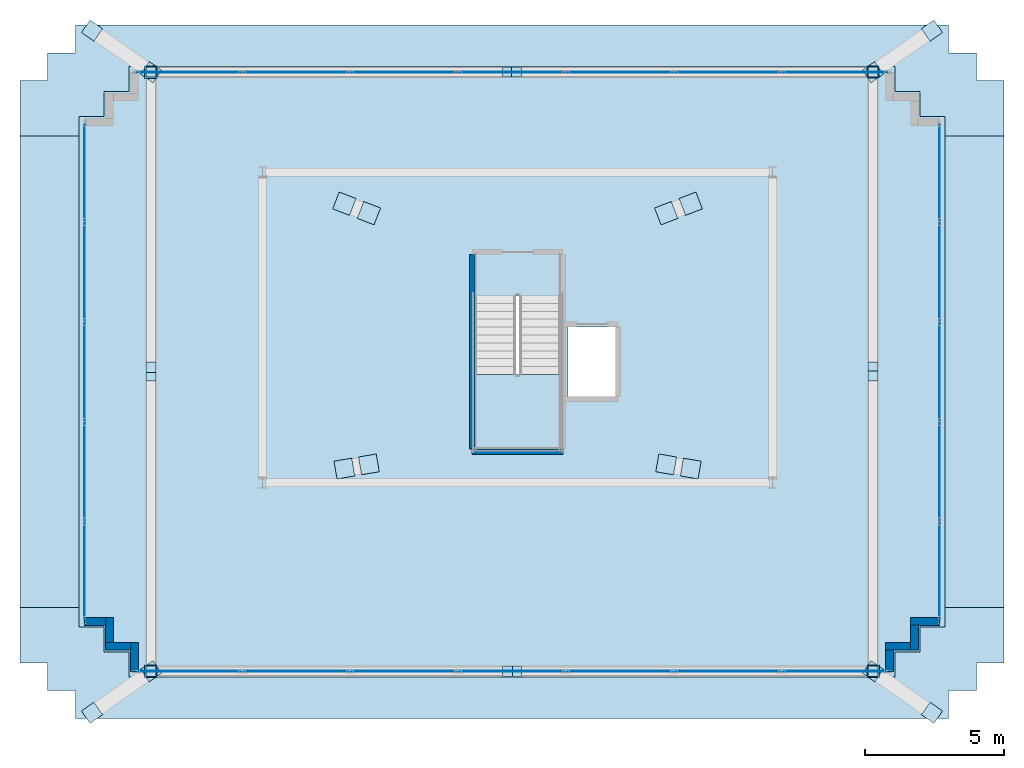
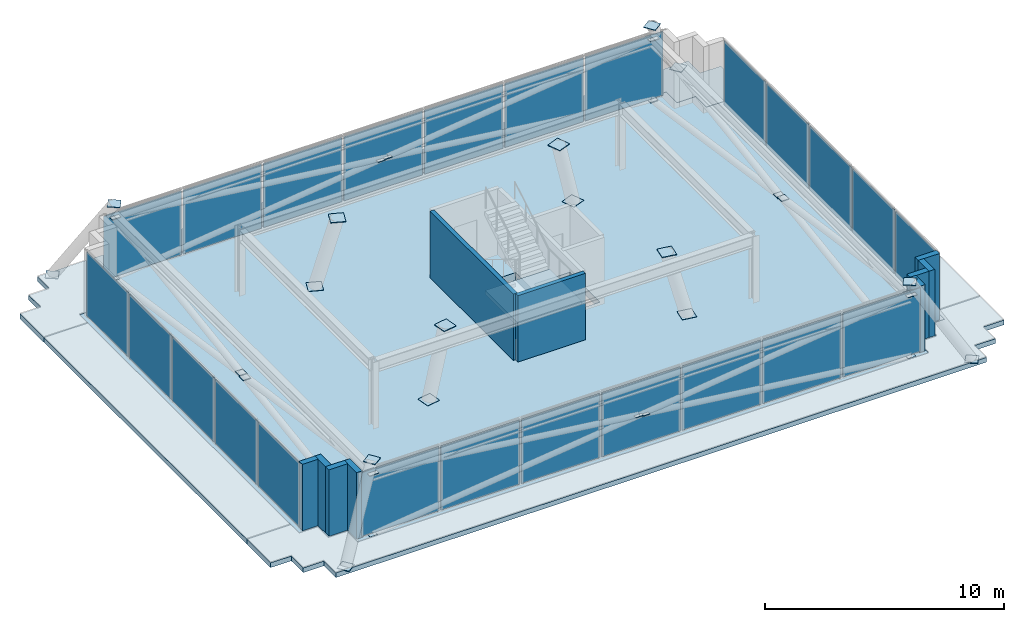
# One storey, part 11 of 15: 56 plates, 10 walls, 6 slabs, 5 elements without a shape of their own.
"""IFC4 building model written with IfcOpenShell, lengths in metres."""

from ifc_helpers import new_model, si_unit, direction, frame, frame_2d, origin, origin_2d, place, context, subcontext, project, spatial, polyline, rectangle, outline, extrude, material, layer, layer_set, type_object, element, aggregate, save


model = new_model("IFC4")

# Units and contexts
model_context = context("Model", 3, precision=1e-05, world=origin(), true_north=direction((0.0, 1.0)))
body_context = subcontext(model_context, "Body", "Model", "MODEL_VIEW")
ifc_project = project(units=[si_unit("LENGTHUNIT", "METRE"), si_unit("AREAUNIT", "SQUARE_METRE"), si_unit("VOLUMEUNIT", "CUBIC_METRE"), si_unit("PLANEANGLEUNIT", "RADIAN"), si_unit("MASSUNIT", "GRAM", prefix="KILO")], contexts=[model_context])

# Site, building, storey
site_placement = place(None, origin())
site = spatial("IfcSite", under=ifc_project, at=site_placement, CompositionType="ELEMENT")
building_placement = place(site_placement, origin())
building = spatial("IfcBuilding", under=site, at=building_placement, Name="Qobustan Lattice House", CompositionType="ELEMENT")
storey_placement = place(building_placement, frame((0.0, 0.0, 281.60009765625)))
storey = spatial("IfcBuildingStorey", under=building, at=storey_placement, Name="L79", CompositionType="ELEMENT", Elevation=281.60009765625)

# Curtain wall, plates
ifc_material_1 = material(Name="Anodised aluminium and low-E glazing", Category="aluminium")
ifc_layer_1 = layer(ifc_material_1, 0.219970703125)
ifc_layer_set_1 = layer_set([ifc_layer_1], Name="Anodised aluminium and low-E glazing")
curtain_wall_type = type_object("IfcCurtainWallType", Name="CW-CRN-01", PredefinedType="USERDEFINED", material=ifc_layer_set_1)
curtain_wall_1_placement = place(storey_placement, origin())
curtain_wall_1 = element("IfcCurtainWall", 1, at=curtain_wall_1_placement, inside=storey, type_object=curtain_wall_type, Name="L79 glass-point crown faceted curtain wall 5", ObjectType="CURTAIN WALL", PredefinedType="USERDEFINED")
ifc_material_2 = material(Name="Warm frit stone-toned laminated glass", Category="masonry")
ifc_layer_2 = layer(ifc_material_2, 0.035888671875)
ifc_layer_set_2 = layer_set([ifc_layer_2], Name="Warm frit stone-toned laminated glass")
plate_type_1 = type_object("IfcPlateType", Name="CWP-CROWN-36", PredefinedType="CURTAIN_PANEL", material=ifc_layer_set_2)
plate_1_placement = place(storey_placement, frame((-15.6201171875, -8.781494140625, 0.06494140625), z_axis=(0.0, 0.0, 1.0), x_axis=(0.0, 1.0, 0.0)))
plate_1 = element("IfcPlate", 2, at=plate_1_placement, type_object=plate_type_1, Name="CW-CR panel 1.1", PredefinedType="CURTAIN_PANEL", context=body_context, shape_type="SweptSolid", body=[
    extrude(rectangle(XDim=3.467041015625, YDim=0.031982421875, at=origin_2d()), origin(), (0.0, 0.0, 1.0), 3.27001953125),
])
plate_2_placement = place(storey_placement, frame((-15.6201171875, -5.201904296875, 0.06494140625), z_axis=(0.0, 0.0, 1.0), x_axis=(0.0, 1.0, 0.0)))
plate_2 = element("IfcPlate", 3, at=plate_2_placement, type_object=plate_type_1, Name="CW-CR panel 2.1", PredefinedType="CURTAIN_PANEL", context=body_context, shape_type="SweptSolid", body=[
    extrude(rectangle(XDim=3.511962890625, YDim=0.031982421875, at=origin_2d()), origin(), (0.0, 0.0, 1.0), 3.27001953125),
])
plate_3_placement = place(storey_placement, frame((-15.6201171875, -1.60009765625, 0.06494140625), z_axis=(0.0, 0.0, 1.0), x_axis=(0.0, 1.0, 0.0)))
plate_3 = element("IfcPlate", 4, at=plate_3_placement, type_object=plate_type_1, Name="CW-CR panel 3.1", PredefinedType="CURTAIN_PANEL", context=body_context, shape_type="SweptSolid", body=[
    extrude(rectangle(XDim=3.511962890625, YDim=0.031982421875, at=origin_2d()), origin(), (0.0, 0.0, 1.0), 3.27001953125),
])
plate_4_placement = place(storey_placement, frame((-15.6201171875, 2.001953125, 0.06494140625), z_axis=(0.0, 0.0, 1.0), x_axis=(0.0, 1.0, 0.0)))
plate_4 = element("IfcPlate", 5, at=plate_4_placement, type_object=plate_type_1, Name="CW-CR panel 4.1", PredefinedType="CURTAIN_PANEL", context=body_context, shape_type="SweptSolid", body=[
    extrude(rectangle(XDim=3.511962890625, YDim=0.031982421875, at=origin_2d()), origin(), (0.0, 0.0, 1.0), 3.27001953125),
])
plate_5_placement = place(storey_placement, frame((-15.6201171875, 5.58154296875, 0.06494140625), z_axis=(0.0, 0.0, 1.0), x_axis=(0.0, 1.0, 0.0)))
plate_5 = element("IfcPlate", 6, at=plate_5_placement, type_object=plate_type_1, Name="CW-CR panel 5.1", PredefinedType="CURTAIN_PANEL", context=body_context, shape_type="SweptSolid", body=[
    extrude(rectangle(XDim=3.467041015625, YDim=0.031982421875, at=origin_2d()), origin(), (0.0, 0.0, 1.0), 3.27001953125),
])
aggregate(curtain_wall_1, [plate_1, plate_2, plate_3, plate_4, plate_5])

curtain_wall_2_placement = place(storey_placement, origin())
curtain_wall_2 = element("IfcCurtainWall", 7, at=curtain_wall_2_placement, inside=storey, type_object=curtain_wall_type, Name="L79 glass-point crown faceted curtain wall 10", ObjectType="CURTAIN WALL", PredefinedType="USERDEFINED")
plate_6_placement = place(storey_placement, frame((-11.851806640625, 9.205078125, 0.06494140625), z_axis=(0.0, 0.0, 1.0), x_axis=(1.0, 0.0, 0.0)))
plate_6 = element("IfcPlate", 8, at=plate_6_placement, type_object=plate_type_1, Name="CW-CR panel 1.1", PredefinedType="CURTAIN_PANEL", context=body_context, shape_type="SweptSolid", body=[
    extrude(rectangle(XDim=3.75634765625, YDim=0.031982421875, at=origin_2d()), origin(), (0.0, 0.0, 1.0), 3.27001953125),
])
plate_7_placement = place(storey_placement, frame((-7.98291015625, 9.205078125, 0.06494140625), z_axis=(0.0, 0.0, 1.0), x_axis=(1.0, 0.0, 0.0)))
plate_7 = element("IfcPlate", 9, at=plate_7_placement, type_object=plate_type_1, Name="CW-CR panel 2.1", PredefinedType="CURTAIN_PANEL", context=body_context, shape_type="SweptSolid", body=[
    extrude(rectangle(XDim=3.801513671875, YDim=0.031982421875, at=origin_2d()), origin(), (0.0, 0.0, 1.0), 3.27001953125),
])
plate_8_placement = place(storey_placement, frame((-4.09130859375, 9.205078125, 0.06494140625), z_axis=(0.0, 0.0, 1.0), x_axis=(1.0, 0.0, 0.0)))
plate_8 = element("IfcPlate", 10, at=plate_8_placement, type_object=plate_type_1, Name="CW-CR panel 3.1", PredefinedType="CURTAIN_PANEL", context=body_context, shape_type="SweptSolid", body=[
    extrude(rectangle(XDim=3.801513671875, YDim=0.031982421875, at=origin_2d()), origin(), (0.0, 0.0, 1.0), 3.27001953125),
])
plate_9_placement = place(storey_placement, frame((-0.199951171875, 9.205078125, 0.06494140625), z_axis=(0.0, 0.0, 1.0), x_axis=(1.0, 0.0, 0.0)))
plate_9 = element("IfcPlate", 11, at=plate_9_placement, type_object=plate_type_1, Name="CW-CR panel 4.1", PredefinedType="CURTAIN_PANEL", context=body_context, shape_type="SweptSolid", body=[
    extrude(rectangle(XDim=3.801513671875, YDim=0.031982421875, at=origin_2d()), origin(), (0.0, 0.0, 1.0), 3.27001953125),
])
plate_10_placement = place(storey_placement, frame((3.69140625, 9.205078125, 0.06494140625), z_axis=(0.0, 0.0, 1.0), x_axis=(1.0, 0.0, 0.0)))
plate_10 = element("IfcPlate", 12, at=plate_10_placement, type_object=plate_type_1, Name="CW-CR panel 5.1", PredefinedType="CURTAIN_PANEL", context=body_context, shape_type="SweptSolid", body=[
    extrude(rectangle(XDim=3.801513671875, YDim=0.031982421875, at=origin_2d()), origin(), (0.0, 0.0, 1.0), 3.27001953125),
])
plate_11_placement = place(storey_placement, frame((7.582763671875, 9.205078125, 0.06494140625), z_axis=(0.0, 0.0, 1.0), x_axis=(1.0, 0.0, 0.0)))
plate_11 = element("IfcPlate", 13, at=plate_11_placement, type_object=plate_type_1, Name="CW-CR panel 6.1", PredefinedType="CURTAIN_PANEL", context=body_context, shape_type="SweptSolid", body=[
    extrude(rectangle(XDim=3.801513671875, YDim=0.031982421875, at=origin_2d()), origin(), (0.0, 0.0, 1.0), 3.27001953125),
])
plate_12_placement = place(storey_placement, frame((11.451904296875, 9.205078125, 0.06494140625), z_axis=(0.0, 0.0, 1.0), x_axis=(1.0, 0.0, 0.0)))
plate_12 = element("IfcPlate", 14, at=plate_12_placement, type_object=plate_type_1, Name="CW-CR panel 7.1", PredefinedType="CURTAIN_PANEL", context=body_context, shape_type="SweptSolid", body=[
    extrude(rectangle(XDim=3.75634765625, YDim=0.031982421875, at=origin_2d()), origin(), (0.0, 0.0, 1.0), 3.27001953125),
])
aggregate(curtain_wall_2, [plate_6, plate_7, plate_8, plate_9, plate_10, plate_11, plate_12])

curtain_wall_3_placement = place(storey_placement, origin())
curtain_wall_3 = element("IfcCurtainWall", 15, at=curtain_wall_3_placement, inside=storey, type_object=curtain_wall_type, Name="L79 glass-point crown faceted curtain wall 15", ObjectType="CURTAIN WALL", PredefinedType="USERDEFINED")
plate_13_placement = place(storey_placement, frame((15.219970703125, 5.58154296875, 0.06494140625), z_axis=(0.0, 0.0, 1.0), x_axis=(0.0, -1.0, 0.0)))
plate_13 = element("IfcPlate", 16, at=plate_13_placement, type_object=plate_type_1, Name="CW-CR panel 1.1", PredefinedType="CURTAIN_PANEL", context=body_context, shape_type="SweptSolid", body=[
    extrude(rectangle(XDim=3.467041015625, YDim=0.031982421875, at=origin_2d()), origin(), (0.0, 0.0, 1.0), 3.27001953125),
])
plate_14_placement = place(storey_placement, frame((15.219970703125, 2.001953125, 0.06494140625), z_axis=(0.0, 0.0, 1.0), x_axis=(0.0, -1.0, 0.0)))
plate_14 = element("IfcPlate", 17, at=plate_14_placement, type_object=plate_type_1, Name="CW-CR panel 2.1", PredefinedType="CURTAIN_PANEL", context=body_context, shape_type="SweptSolid", body=[
    extrude(rectangle(XDim=3.511962890625, YDim=0.031982421875, at=origin_2d()), origin(), (0.0, 0.0, 1.0), 3.27001953125),
])
plate_15_placement = place(storey_placement, frame((15.219970703125, -1.60009765625, 0.06494140625), z_axis=(0.0, 0.0, 1.0), x_axis=(0.0, -1.0, 0.0)))
plate_15 = element("IfcPlate", 18, at=plate_15_placement, type_object=plate_type_1, Name="CW-CR panel 3.1", PredefinedType="CURTAIN_PANEL", context=body_context, shape_type="SweptSolid", body=[
    extrude(rectangle(XDim=3.511962890625, YDim=0.031982421875, at=origin_2d()), origin(), (0.0, 0.0, 1.0), 3.27001953125),
])
plate_16_placement = place(storey_placement, frame((15.219970703125, -5.201904296875, 0.06494140625), z_axis=(0.0, 0.0, 1.0), x_axis=(0.0, -1.0, 0.0)))
plate_16 = element("IfcPlate", 19, at=plate_16_placement, type_object=plate_type_1, Name="CW-CR panel 4.1", PredefinedType="CURTAIN_PANEL", context=body_context, shape_type="SweptSolid", body=[
    extrude(rectangle(XDim=3.511962890625, YDim=0.031982421875, at=origin_2d()), origin(), (0.0, 0.0, 1.0), 3.27001953125),
])
plate_17_placement = place(storey_placement, frame((15.219970703125, -8.781494140625, 0.06494140625), z_axis=(0.0, 0.0, 1.0), x_axis=(0.0, -1.0, 0.0)))
plate_17 = element("IfcPlate", 20, at=plate_17_placement, type_object=plate_type_1, Name="CW-CR panel 5.1", PredefinedType="CURTAIN_PANEL", context=body_context, shape_type="SweptSolid", body=[
    extrude(rectangle(XDim=3.467041015625, YDim=0.031982421875, at=origin_2d()), origin(), (0.0, 0.0, 1.0), 3.27001953125),
])
aggregate(curtain_wall_3, [plate_13, plate_14, plate_15, plate_16, plate_17])

curtain_wall_4_placement = place(storey_placement, origin())
curtain_wall_4 = element("IfcCurtainWall", 21, at=curtain_wall_4_placement, inside=storey, type_object=curtain_wall_type, Name="L79 glass-point crown faceted curtain wall 20", ObjectType="CURTAIN WALL", PredefinedType="USERDEFINED")
plate_18_placement = place(storey_placement, frame((11.451904296875, -12.405029296875, 0.06494140625), z_axis=(0.0, 0.0, 1.0), x_axis=(-1.0, 0.0, 0.0)))
plate_18 = element("IfcPlate", 22, at=plate_18_placement, type_object=plate_type_1, Name="CW-CR panel 1.1", PredefinedType="CURTAIN_PANEL", context=body_context, shape_type="SweptSolid", body=[
    extrude(rectangle(XDim=3.75634765625, YDim=0.031982421875, at=origin_2d()), origin(), (0.0, 0.0, 1.0), 3.27001953125),
])
plate_19_placement = place(storey_placement, frame((7.582763671875, -12.405029296875, 0.06494140625), z_axis=(0.0, 0.0, 1.0), x_axis=(-1.0, 0.0, 0.0)))
plate_19 = element("IfcPlate", 23, at=plate_19_placement, type_object=plate_type_1, Name="CW-CR panel 2.1", PredefinedType="CURTAIN_PANEL", context=body_context, shape_type="SweptSolid", body=[
    extrude(rectangle(XDim=3.801513671875, YDim=0.031982421875, at=origin_2d()), origin(), (0.0, 0.0, 1.0), 3.27001953125),
])
plate_20_placement = place(storey_placement, frame((3.69140625, -12.405029296875, 0.06494140625), z_axis=(0.0, 0.0, 1.0), x_axis=(-1.0, 0.0, 0.0)))
plate_20 = element("IfcPlate", 24, at=plate_20_placement, type_object=plate_type_1, Name="CW-CR panel 3.1", PredefinedType="CURTAIN_PANEL", context=body_context, shape_type="SweptSolid", body=[
    extrude(rectangle(XDim=3.801513671875, YDim=0.031982421875, at=origin_2d()), origin(), (0.0, 0.0, 1.0), 3.27001953125),
])
plate_21_placement = place(storey_placement, frame((-0.199951171875, -12.405029296875, 0.06494140625), z_axis=(0.0, 0.0, 1.0), x_axis=(-1.0, 0.0, 0.0)))
plate_21 = element("IfcPlate", 25, at=plate_21_placement, type_object=plate_type_1, Name="CW-CR panel 4.1", PredefinedType="CURTAIN_PANEL", context=body_context, shape_type="SweptSolid", body=[
    extrude(rectangle(XDim=3.801513671875, YDim=0.031982421875, at=origin_2d()), origin(), (0.0, 0.0, 1.0), 3.27001953125),
])
plate_22_placement = place(storey_placement, frame((-4.09130859375, -12.405029296875, 0.06494140625), z_axis=(0.0, 0.0, 1.0), x_axis=(-1.0, 0.0, 0.0)))
plate_22 = element("IfcPlate", 26, at=plate_22_placement, type_object=plate_type_1, Name="CW-CR panel 5.1", PredefinedType="CURTAIN_PANEL", context=body_context, shape_type="SweptSolid", body=[
    extrude(rectangle(XDim=3.801513671875, YDim=0.031982421875, at=origin_2d()), origin(), (0.0, 0.0, 1.0), 3.27001953125),
])
plate_23_placement = place(storey_placement, frame((-7.98291015625, -12.405029296875, 0.06494140625), z_axis=(0.0, 0.0, 1.0), x_axis=(-1.0, 0.0, 0.0)))
plate_23 = element("IfcPlate", 27, at=plate_23_placement, type_object=plate_type_1, Name="CW-CR panel 6.1", PredefinedType="CURTAIN_PANEL", context=body_context, shape_type="SweptSolid", body=[
    extrude(rectangle(XDim=3.801513671875, YDim=0.031982421875, at=origin_2d()), origin(), (0.0, 0.0, 1.0), 3.27001953125),
])
plate_24_placement = place(storey_placement, frame((-11.851806640625, -12.405029296875, 0.06494140625), z_axis=(0.0, 0.0, 1.0), x_axis=(-1.0, 0.0, 0.0)))
plate_24 = element("IfcPlate", 28, at=plate_24_placement, type_object=plate_type_1, Name="CW-CR panel 7.1", PredefinedType="CURTAIN_PANEL", context=body_context, shape_type="SweptSolid", body=[
    extrude(rectangle(XDim=3.75634765625, YDim=0.031982421875, at=origin_2d()), origin(), (0.0, 0.0, 1.0), 3.27001953125),
])
aggregate(curtain_wall_4, [plate_18, plate_19, plate_20, plate_21, plate_22, plate_23, plate_24])

# Plates
ifc_material_3 = material(Name="Steel S355", Category="steel")
ifc_layer_3 = layer(ifc_material_3, 0.030029296875)
ifc_layer_set_3 = layer_set([ifc_layer_3], Name="Steel S355")
plate_type_2 = type_object("IfcPlateType", Name="PLT-CAP-25", PredefinedType="SHEET", material=ifc_layer_set_3)
for number, where, z_axis, x_axis, name in (
    (29, (-6.24560546875, -5.093505859375, -0.02001953125), (0.0, 0.0, 1.0), (0.985621011945, 0.168971065014, 0.0), "L79 crown spire leg SL1 end cap plate 1"),
    (30, (-5.36181640625, -4.94189453125, 3.3896484375), (0.0, 0.0, 1.0), (0.985621011945, 0.168971065014, 0.0), "L79 crown spire leg SL1 end cap plate 2"),
    (31, (6.24560546875, -5.093505859375, -0.02001953125), (0.0, 0.0, 1.0), (-0.985621011945, 0.168971065014, 0.0), "L79 crown spire leg SL2 end cap plate 1"),
    (32, (5.36181640625, -4.94189453125, 3.3896484375), (0.0, 0.0, 1.0), (-0.985621011945, 0.168971065014, 0.0), "L79 crown spire leg SL2 end cap plate 2"),
    (33, (6.24560546875, 4.46044921875, -0.02001953125), (0.0, 0.0, 1.0), (-0.932991228488, -0.359899107481, 0.0), "L79 crown spire leg SL3 end cap plate 1"),
    (34, (5.36181640625, 4.119384765625, 3.3896484375), (0.0, 0.0, 1.0), (-0.932991228488, -0.359899107481, 0.0), "L79 crown spire leg SL3 end cap plate 2"),
    (35, (-6.24560546875, 4.46044921875, -0.02001953125), (0.0, 0.0, 1.0), (0.932991228488, -0.359899107481, 0.0), "L79 crown spire leg SL4 end cap plate 1"),
    (36, (-5.36181640625, 4.119384765625, 3.3896484375), (0.0, 0.0, 1.0), (0.932991228488, -0.359899107481, 0.0), "L79 crown spire leg SL4 end cap plate 2"),
):
    element("IfcPlate", number, at=place(storey_placement, frame(where, z_axis=z_axis, x_axis=x_axis)), inside=storey, type_object=plate_type_2, Name=name, PredefinedType="SHEET", context=body_context, shape_type="SweptSolid", body=[
        extrude(rectangle(XDim=0.64990234375, YDim=0.64990234375, at=origin_2d()), origin(), (0.0, 0.0, 1.0), 0.030029296875),
    ])
for number, where, z_axis, x_axis, name in (
    (37, (-15.348876953125, -13.905029296875, -0.01904296875), (0.0, 0.0, 1.0), (0.81742649872, 0.576032915024, 0.0), "L79 crown corner raking strut 1 end cap plate 1"),
    (38, (-13.2177734375, -12.4033203125, 3.7890625), (0.0, 0.0, 1.0), (0.81742649872, 0.576032915024, 0.0), "L79 crown corner raking strut 1 end cap plate 2"),
    (39, (14.94873046875, -13.905029296875, -0.01904296875), (0.0, 0.0, 1.0), (-0.81742649872, 0.576032915024, 0.0), "L79 crown corner raking strut 2 end cap plate 1"),
    (40, (12.817626953125, -12.4033203125, 3.7890625), (0.0, 0.0, 1.0), (-0.81742649872, 0.576032915024, 0.0), "L79 crown corner raking strut 2 end cap plate 2"),
    (41, (14.94873046875, 10.705078125, -0.01904296875), (0.0, 0.0, 1.0), (-0.81742649872, -0.576032915024, 0.0), "L79 crown corner raking strut 3 end cap plate 1"),
    (42, (12.817626953125, 9.203369140625, 3.7890625), (0.0, 0.0, 1.0), (-0.81742649872, -0.576032915024, 0.0), "L79 crown corner raking strut 3 end cap plate 2"),
    (43, (-15.348876953125, 10.705078125, -0.01904296875), (0.0, 0.0, 1.0), (0.81742649872, -0.576032915024, 0.0), "L79 crown corner raking strut 4 end cap plate 1"),
    (44, (-13.2177734375, 9.203369140625, 3.7890625), (0.0, 0.0, 1.0), (0.81742649872, -0.576032915024, 0.0), "L79 crown corner raking strut 4 end cap plate 2"),
):
    element("IfcPlate", number, at=place(storey_placement, frame(where, z_axis=z_axis, x_axis=x_axis)), inside=storey, type_object=plate_type_2, Name=name, PredefinedType="SHEET", context=body_context, shape_type="SweptSolid", body=[
        extrude(rectangle(XDim=0.548095703125, YDim=0.548095703125, at=origin_2d()), origin(), (0.0, 0.0, 1.0), 0.030029296875),
    ])
for number, where, z_axis, x_axis, name in (
    (45, (-13.22509765625, -12.405029296875, 3.1650390625), (0.0, 0.0, 1.0), (1.0, 0.0, 0.0), "L79 crown ring chord 1 end cap plate 1"),
    (46, (12.824951171875, -12.405029296875, 3.1650390625), (0.0, 0.0, 1.0), (1.0, 0.0, 0.0), "L79 crown ring chord 1 end cap plate 2"),
):
    element("IfcPlate", number, at=place(storey_placement, frame(where, z_axis=z_axis, x_axis=x_axis)), inside=storey, type_object=plate_type_2, Name=name, PredefinedType="SHEET", context=body_context, shape_type="SweptSolid", body=[
        extrude(rectangle(XDim=0.4462890625, YDim=0.4462890625, at=origin_2d()), origin(), (0.0, 0.0, 1.0), 0.030029296875),
    ])
for number, where, z_axis, x_axis, name in (
    (47, (-13.22509765625, -12.405029296875, -0.00048828125), (0.0, 0.0, 1.0), (1.0, 0.0, 0.0), "L79 crown diagrid continuous brace 1A end cap plate 1"),
    (48, (12.824951171875, -12.405029296875, -0.00048828125), (0.0, 0.0, 1.0), (-1.0, 0.0, 0.0), "L79 crown diagrid split brace 1B lower end cap plate 1"),
    (49, (-0.0380859375, -12.405029296875, 1.5625), (0.0, 0.0, 1.0), (-1.0, 0.0, 0.0), "L79 crown diagrid split brace 1B lower end cap plate 2"),
    (50, (-0.36181640625, -12.405029296875, 1.60205078125), (0.0, 0.0, 1.0), (-1.0, 0.0, 0.0), "L79 crown diagrid split brace 1B upper end cap plate 1"),
):
    element("IfcPlate", number, at=place(storey_placement, frame(where, z_axis=z_axis, x_axis=x_axis)), inside=storey, type_object=plate_type_2, Name=name, PredefinedType="SHEET", context=body_context, shape_type="SweptSolid", body=[
        extrude(rectangle(XDim=0.364013671875, YDim=0.364013671875, at=origin_2d()), origin(), (0.0, 0.0, 1.0), 0.030029296875),
    ])
plate_25_placement = place(storey_placement, frame((12.820068359375, 9.2099609375, 3.1650390625), z_axis=(0.0, 0.0, 1.0), x_axis=(0.0, 1.0, 0.0)))
element("IfcPlate", 51, at=plate_25_placement, inside=storey, type_object=plate_type_2, Name="L79 crown ring chord 2 end cap plate 2", PredefinedType="SHEET", context=body_context, shape_type="SweptSolid", body=[
    extrude(rectangle(XDim=0.4462890625, YDim=0.4462890625, at=origin_2d()), origin(), (0.0, 0.0, 1.0), 0.030029296875),
])
for number, where, z_axis, x_axis, name in (
    (52, (12.820068359375, 9.2099609375, -0.0009765625), (0.0, 0.0, 1.0), (0.0, -1.0, 0.0), "L79 crown diagrid split brace 2B lower end cap plate 1"),
    (53, (12.820068359375, -1.438720703125, 1.55859375), (0.0, 0.0, 1.0), (0.0, -1.0, 0.0), "L79 crown diagrid split brace 2B lower end cap plate 2"),
    (54, (12.820068359375, -1.76123046875, 1.60595703125), (0.0, 0.0, 1.0), (0.0, -1.0, 0.0), "L79 crown diagrid split brace 2B upper end cap plate 1"),
):
    element("IfcPlate", number, at=place(storey_placement, frame(where, z_axis=z_axis, x_axis=x_axis)), inside=storey, type_object=plate_type_2, Name=name, PredefinedType="SHEET", context=body_context, shape_type="SweptSolid", body=[
        extrude(rectangle(XDim=0.364013671875, YDim=0.364013671875, at=origin_2d()), origin(), (0.0, 0.0, 1.0), 0.030029296875),
    ])
plate_26_placement = place(storey_placement, frame((-13.22509765625, 9.205078125, 3.1650390625), z_axis=(0.0, 0.0, 1.0), x_axis=(-1.0, 0.0, 0.0)))
element("IfcPlate", 55, at=plate_26_placement, inside=storey, type_object=plate_type_2, Name="L79 crown ring chord 3 end cap plate 2", PredefinedType="SHEET", context=body_context, shape_type="SweptSolid", body=[
    extrude(rectangle(XDim=0.4462890625, YDim=0.4462890625, at=origin_2d()), origin(), (0.0, 0.0, 1.0), 0.030029296875),
])
for number, where, z_axis, x_axis, name in (
    (56, (-13.22509765625, 9.205078125, -0.00048828125), (0.0, 0.0, 1.0), (1.0, 0.0, 0.0), "L79 crown diagrid split brace 3B lower end cap plate 1"),
    (57, (-0.36181640625, 9.205078125, 1.5625), (0.0, 0.0, 1.0), (1.0, 0.0, 0.0), "L79 crown diagrid split brace 3B lower end cap plate 2"),
    (58, (-0.0380859375, 9.205078125, 1.60205078125), (0.0, 0.0, 1.0), (1.0, 0.0, 0.0), "L79 crown diagrid split brace 3B upper end cap plate 1"),
    (59, (-13.219970703125, -1.76123046875, 1.55859375), (0.0, 0.0, 1.0), (0.0, 1.0, 0.0), "L79 crown diagrid split brace 4B lower end cap plate 2"),
    (60, (-13.219970703125, -1.438720703125, 1.60595703125), (0.0, 0.0, 1.0), (0.0, 1.0, 0.0), "L79 crown diagrid split brace 4B upper end cap plate 1"),
):
    element("IfcPlate", number, at=place(storey_placement, frame(where, z_axis=z_axis, x_axis=x_axis)), inside=storey, type_object=plate_type_2, Name=name, PredefinedType="SHEET", context=body_context, shape_type="SweptSolid", body=[
        extrude(rectangle(XDim=0.364013671875, YDim=0.364013671875, at=origin_2d()), origin(), (0.0, 0.0, 1.0), 0.030029296875),
    ])

# Stair, slab
ifc_material_4 = material(Name="Concrete C40/50", Category="concrete")
stair_type = type_object("IfcStairType", Name="STR-CORE-DOGLEG", PredefinedType="HALF_TURN_STAIR", material=ifc_material_4)
stair_placement = place(storey_placement, origin())
stair = element("IfcStair", 61, at=stair_placement, inside=storey, type_object=stair_type, Name="L79 Crown access stair ST-C1", PredefinedType="HALF_TURN_STAIR")
ifc_material_5 = material(Name="Concrete C40/50", Category="concrete")
ifc_layer_4 = layer(ifc_material_5, 0.199951171875)
ifc_layer_set_4 = layer_set([ifc_layer_4], Name="Concrete C40/50")
slab_type_1 = type_object("IfcSlabType", Name="SLB-LANDING-200", PredefinedType="LANDING", material=ifc_layer_set_4)
slab_1_placement = place(storey_placement, frame((0.0, 0.0, 1.699951171875)))
slab_1 = element("IfcSlab", 62, at=slab_1_placement, type_object=slab_type_1, Name="ST-C1 landing 1", PredefinedType="LANDING", context=body_context, shape_type="SweptSolid", body=[
    extrude(outline(polyline([(-1.56005859375, -1.699951171875), (-1.56005859375, -4.39990234375), (1.56005859375, -4.39990234375), (1.56005859375, -1.699951171875), (-1.56005859375, -1.699951171875)])), origin(), (0.0, 0.0, 1.0), 0.199951171875),
])
aggregate(stair, [slab_1])

# Slabs
ifc_material_6 = material(Name="Concrete C50/60", Category="concrete")
ifc_layer_5 = layer(ifc_material_6, 0.39990234375)
ifc_layer_set_5 = layer_set([ifc_layer_5], Name="Concrete C50/60")
slab_type_2 = type_object("IfcSlabType", Name="SLB-PLANT-DECK-400", PredefinedType="USERDEFINED", material=ifc_layer_set_5)
slab_2_placement = place(storey_placement, frame((0.0, 0.0, -0.400146484375)))
element("IfcSlab", 63, at=slab_2_placement, inside=storey, type_object=slab_type_2, Name="L79 crown mechanical plant deck", ObjectType="PLANT DECK", PredefinedType="USERDEFINED", context=body_context, shape_type="SweptSolid", body=[
    extrude(outline(polyline([(-14.02001953125, -12.60498046875), (13.6201171875, -12.60498046875), (13.6201171875, -11.705078125), (14.52001953125, -11.705078125), (14.52001953125, -10.804931640625), (15.419921875, -10.804931640625), (15.419921875, 7.60498046875), (14.52001953125, 7.60498046875), (14.52001953125, 8.5048828125), (13.6201171875, 8.5048828125), (13.6201171875, 9.405029296875), (-14.02001953125, 9.405029296875), (-14.02001953125, 8.5048828125), (-14.919921875, 8.5048828125), (-14.919921875, 7.60498046875), (-15.820068359375, 7.60498046875), (-15.820068359375, -10.804931640625), (-14.919921875, -10.804931640625), (-14.919921875, -11.705078125), (-14.02001953125, -11.705078125), (-14.02001953125, -12.60498046875)]), holes=[polyline([(-1.56005859375, -4.39990234375), (-1.56005859375, 1.139892578125), (1.56005859375, 1.139892578125), (1.56005859375, -4.39990234375), (-1.56005859375, -4.39990234375)]), polyline([(1.820068359375, -2.5), (1.820068359375, 0.02001953125), (3.5400390625, 0.02001953125), (3.5400390625, -2.5), (1.820068359375, -2.5)])]), origin(), (0.0, 0.0, 1.0), 0.400146484375),
])
ifc_material_7 = material(Name="Concrete C40/50", Category="concrete")
ifc_layer_6 = layer(ifc_material_7, 0.239990234375)
ifc_layer_set_6 = layer_set([ifc_layer_6], Name="Concrete C40/50")
slab_type_3 = type_object("IfcSlabType", Name="SLB-ROOF-240", PredefinedType="ROOF", material=ifc_layer_set_6)
slab_3_placement = place(storey_placement, frame((0.0, 0.0, -0.239990234375)))
element("IfcSlab", 64, at=slab_3_placement, inside=storey, type_object=slab_type_3, Name="L79 crown step-in roof slab S1", PredefinedType="ROOF", context=body_context, shape_type="SweptSolid", body=[
    extrude(outline(polyline([(-15.946533203125, -13.103515625), (-15.946533203125, -14.103515625), (15.54638671875, -14.103515625), (15.54638671875, -13.103515625), (16.54638671875, -13.103515625), (16.54638671875, -12.103515625), (17.54638671875, -12.103515625), (17.54638671875, -10.10498046875), (15.419921875, -10.10498046875), (15.419921875, -10.804931640625), (14.52001953125, -10.804931640625), (14.52001953125, -11.705078125), (13.6201171875, -11.705078125), (13.6201171875, -12.60498046875), (-14.02001953125, -12.60498046875), (-14.02001953125, -11.705078125), (-14.919921875, -11.705078125), (-14.919921875, -10.804931640625), (-15.820068359375, -10.804931640625), (-15.820068359375, -10.10498046875), (-17.946533203125, -10.10498046875), (-17.946533203125, -12.103515625), (-16.946533203125, -12.103515625), (-16.946533203125, -13.103515625), (-15.946533203125, -13.103515625)])), origin(), (0.0, 0.0, 1.0), 0.239990234375),
])
slab_4_placement = place(storey_placement, frame((0.0, 0.0, -0.239990234375)))
element("IfcSlab", 65, at=slab_4_placement, inside=storey, type_object=slab_type_3, Name="L79 crown step-in roof slab N1", PredefinedType="ROOF", context=body_context, shape_type="SweptSolid", body=[
    extrude(outline(polyline([(-17.946533203125, 6.905029296875), (-15.820068359375, 6.905029296875), (-15.820068359375, 7.60498046875), (-14.919921875, 7.60498046875), (-14.919921875, 8.5048828125), (-14.02001953125, 8.5048828125), (-14.02001953125, 9.405029296875), (13.6201171875, 9.405029296875), (13.6201171875, 8.5048828125), (14.52001953125, 8.5048828125), (14.52001953125, 7.60498046875), (15.419921875, 7.60498046875), (15.419921875, 6.905029296875), (17.54638671875, 6.905029296875), (17.54638671875, 8.903564453125), (16.54638671875, 8.903564453125), (16.54638671875, 9.903564453125), (15.54638671875, 9.903564453125), (15.54638671875, 10.903564453125), (-15.946533203125, 10.903564453125), (-15.946533203125, 9.903564453125), (-16.946533203125, 9.903564453125), (-16.946533203125, 8.903564453125), (-17.946533203125, 8.903564453125), (-17.946533203125, 6.905029296875)])), origin(), (0.0, 0.0, 1.0), 0.239990234375),
])
slab_5_placement = place(storey_placement, frame((0.0, 0.0, -0.239990234375)))
element("IfcSlab", 66, at=slab_5_placement, inside=storey, type_object=slab_type_3, Name="L79 crown step-in roof slab W1", PredefinedType="ROOF", context=body_context, shape_type="SweptSolid", body=[
    extrude(outline(polyline([(-17.946533203125, -10.10498046875), (-15.820068359375, -10.10498046875), (-15.820068359375, 6.905029296875), (-17.946533203125, 6.905029296875), (-17.946533203125, -10.10498046875)])), origin(), (0.0, 0.0, 1.0), 0.239990234375),
])
slab_6_placement = place(storey_placement, frame((0.0, 0.0, -0.239990234375)))
element("IfcSlab", 67, at=slab_6_placement, inside=storey, type_object=slab_type_3, Name="L79 crown step-in roof slab E1", PredefinedType="ROOF", context=body_context, shape_type="SweptSolid", body=[
    extrude(outline(polyline([(17.54638671875, 6.905029296875), (15.419921875, 6.905029296875), (15.419921875, -10.10498046875), (17.54638671875, -10.10498046875), (17.54638671875, 6.905029296875)])), origin(), (0.0, 0.0, 1.0), 0.239990234375),
])

# Walls
ifc_material_8 = material(Name="Precast concrete C40/50", Category="concrete")
ifc_layer_7 = layer(ifc_material_8, 0.280029296875)
ifc_layer_set_7 = layer_set([ifc_layer_7], Name="Precast concrete C40/50")
wall_type_1 = type_object("IfcWallType", Name="WAL-EXT-CROWN-280", PredefinedType="SOLIDWALL", material=ifc_layer_set_7)
wall_1_placement = place(storey_placement, frame((-13.820068359375, -12.405029296875, 0.0), z_axis=(0.0, 0.0, 1.0), x_axis=(0.0, 1.0, 0.0)))
element("IfcWall", 68, at=wall_1_placement, inside=storey, type_object=wall_type_1, Name="L79 crown faceted limestone wall 1", PredefinedType="SOLIDWALL", context=body_context, shape_type="SweptSolid", body=[
    extrude(rectangle(XDim=1.0400390625, YDim=0.280029296875, at=frame_2d((0.52001953125, 0.0))), origin(), (0.0, 0.0, 1.0), 3.39990234375),
])
wall_2_placement = place(storey_placement, frame((-13.947998046875, -11.5048828125, 0.0), z_axis=(0.0, 0.0, 1.0), x_axis=(-1.0, 0.0, 0.0)))
element("IfcWall", 69, at=wall_2_placement, inside=storey, type_object=wall_type_1, Name="L79 crown faceted limestone wall 2", PredefinedType="SOLIDWALL", context=body_context, shape_type="SweptSolid", body=[
    extrude(rectangle(XDim=0.912109375, YDim=0.280029296875, at=frame_2d((0.4560546875, 0.0))), origin(), (0.0, 0.0, 1.0), 3.39990234375),
])
wall_3_placement = place(storey_placement, frame((-14.719970703125, -11.376953125, 0.0), z_axis=(0.0, 0.0, 1.0), x_axis=(0.0, 1.0, 0.0)))
element("IfcWall", 70, at=wall_3_placement, inside=storey, type_object=wall_type_1, Name="L79 crown faceted limestone wall 3", PredefinedType="SOLIDWALL", context=body_context, shape_type="SweptSolid", body=[
    extrude(rectangle(XDim=0.911865234375, YDim=0.280029296875, at=frame_2d((0.4560546875, 0.0))), origin(), (0.0, 0.0, 1.0), 3.39990234375),
])
wall_4_placement = place(storey_placement, frame((-14.847900390625, -10.60498046875, 0.0), z_axis=(0.0, 0.0, 1.0), x_axis=(-1.0, 0.0, 0.0)))
element("IfcWall", 71, at=wall_4_placement, inside=storey, type_object=wall_type_1, Name="L79 crown faceted limestone wall 4", PredefinedType="SOLIDWALL", context=body_context, shape_type="SweptSolid", body=[
    extrude(rectangle(XDim=0.772216796875, YDim=0.280029296875, at=frame_2d((0.38623046875, 0.0))), origin(), (0.0, 0.0, 1.0), 3.39990234375),
])
wall_5_placement = place(storey_placement, frame((15.219970703125, -10.60498046875, 0.0), z_axis=(0.0, 0.0, 1.0), x_axis=(-1.0, 0.0, 0.0)))
element("IfcWall", 72, at=wall_5_placement, inside=storey, type_object=wall_type_1, Name="L79 crown faceted limestone wall 16", PredefinedType="SOLIDWALL", context=body_context, shape_type="SweptSolid", body=[
    extrude(rectangle(XDim=1.0400390625, YDim=0.280029296875, at=frame_2d((0.52001953125, 0.0))), origin(), (0.0, 0.0, 1.0), 3.39990234375),
])
wall_6_placement = place(storey_placement, frame((14.320068359375, -10.73291015625, 0.0), z_axis=(0.0, 0.0, 1.0), x_axis=(0.0, -1.0, 0.0)))
element("IfcWall", 73, at=wall_6_placement, inside=storey, type_object=wall_type_1, Name="L79 crown faceted limestone wall 17", PredefinedType="SOLIDWALL", context=body_context, shape_type="SweptSolid", body=[
    extrude(rectangle(XDim=0.912109375, YDim=0.280029296875, at=frame_2d((0.4560546875, 0.0))), origin(), (0.0, 0.0, 1.0), 3.39990234375),
])
wall_7_placement = place(storey_placement, frame((14.19189453125, -11.5048828125, 0.0), z_axis=(0.0, 0.0, 1.0), x_axis=(-1.0, 0.0, 0.0)))
element("IfcWall", 74, at=wall_7_placement, inside=storey, type_object=wall_type_1, Name="L79 crown faceted limestone wall 18", PredefinedType="SOLIDWALL", context=body_context, shape_type="SweptSolid", body=[
    extrude(rectangle(XDim=0.911865234375, YDim=0.280029296875, at=frame_2d((0.4560546875, 0.0))), origin(), (0.0, 0.0, 1.0), 3.39990234375),
])
wall_8_placement = place(storey_placement, frame((13.419921875, -11.633056640625, 0.0), z_axis=(0.0, 0.0, 1.0), x_axis=(0.0, -1.0, 0.0)))
element("IfcWall", 75, at=wall_8_placement, inside=storey, type_object=wall_type_1, Name="L79 crown faceted limestone wall 19", PredefinedType="SOLIDWALL", context=body_context, shape_type="SweptSolid", body=[
    extrude(rectangle(XDim=0.77197265625, YDim=0.280029296875, at=frame_2d((0.385986328125, 0.0))), origin(), (0.0, 0.0, 1.0), 3.39990234375),
])
ifc_material_9 = material(Name="Concrete C40/50", Category="concrete")
ifc_layer_8 = layer(ifc_material_9, 0.199951171875)
ifc_layer_set_8 = layer_set([ifc_layer_8], Name="Concrete C40/50")
wall_type_2 = type_object("IfcWallType", Name="WAL-SHAFT-LB-200", PredefinedType="SHEAR", material=ifc_layer_set_8)
wall_9_placement = place(storey_placement, frame((-1.639892578125, -4.47998046875, 0.0), z_axis=(0.0, 0.0, 1.0), x_axis=(1.0, 0.0, 0.0)))
element("IfcWall", 76, at=wall_9_placement, inside=storey, type_object=wall_type_2, Name="L79 crown stair ST-C1 RC shaft wall STC-S", PredefinedType="SHEAR", context=body_context, shape_type="SweptSolid", body=[
    extrude(rectangle(XDim=3.27978515625, YDim=0.199951171875, at=frame_2d((1.639892578125, 0.0))), origin(), (0.0, 0.0, 1.0), 3.39990234375),
])
wall_10_placement = place(storey_placement, frame((-1.639892578125, -4.3798828125, 0.0), z_axis=(0.0, 0.0, 1.0), x_axis=(0.0, 1.0, 0.0)))
element("IfcWall", 77, at=wall_10_placement, inside=storey, type_object=wall_type_2, Name="L79 crown stair ST-C1 RC shaft wall STC-W", PredefinedType="SHEAR", context=body_context, shape_type="SweptSolid", body=[
    extrude(rectangle(XDim=7.0, YDim=0.199951171875, at=frame_2d((3.5, 0.0))), origin(), (0.0, 0.0, 1.0), 3.39990234375),
])

save(model, "model.ifc")
